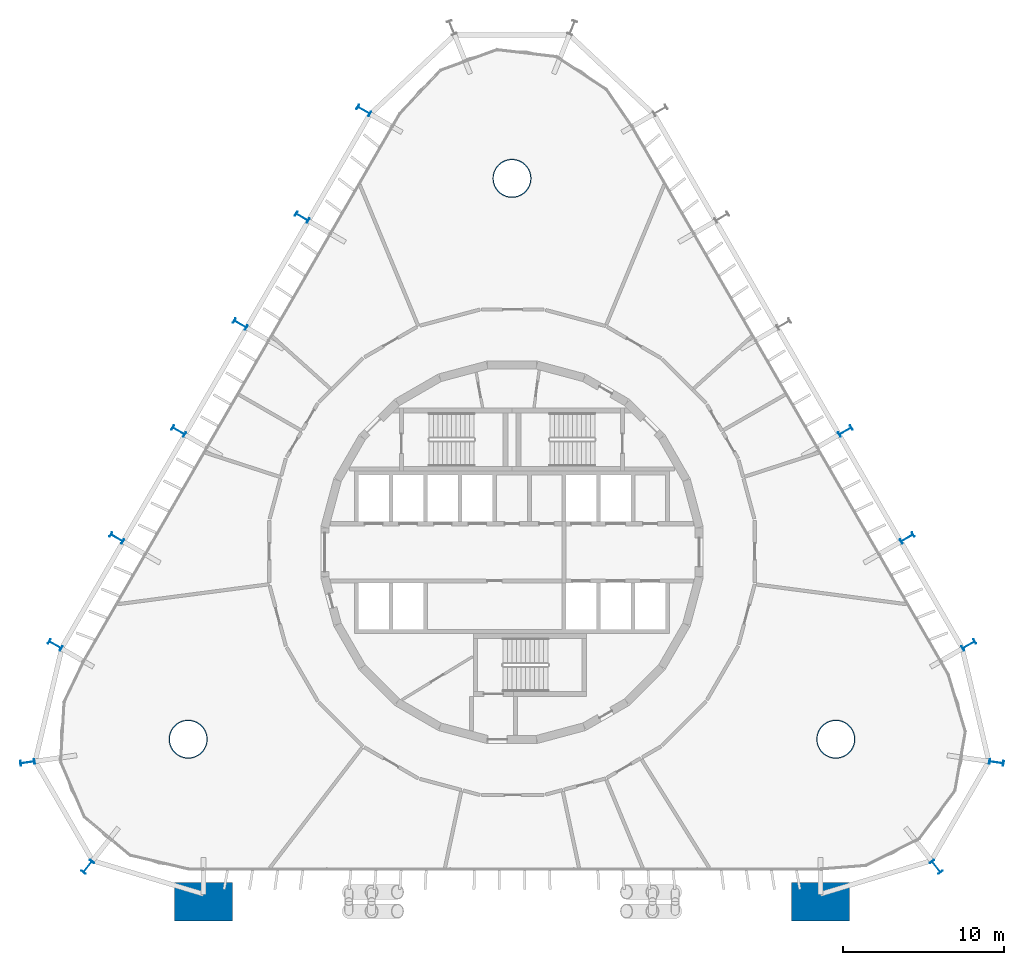
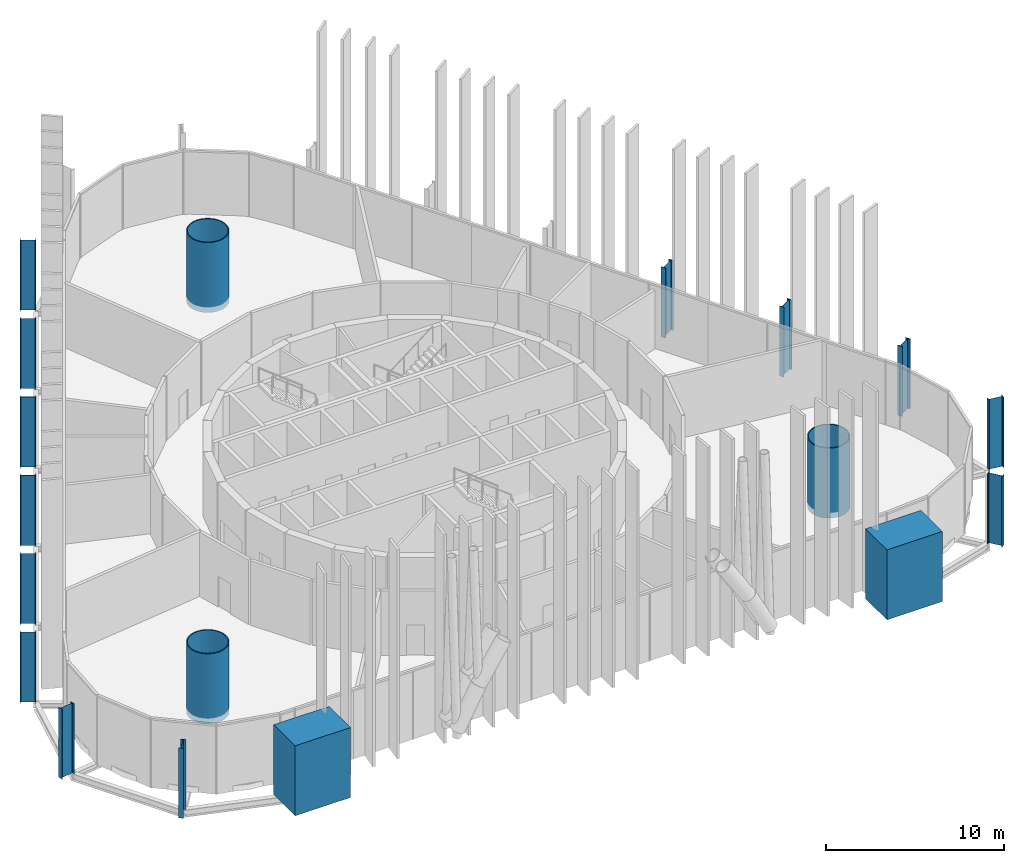
# One storey, part 1 of 17: 18 columns.
"""IFC4 building model written with IfcOpenShell, lengths in metres."""

import ifcopenshell
import ifcopenshell.guid

model = None  # the IFC model being written
_history = None  # IfcOwnerHistory: only IFC2X3 demands one
_inside = {}  # id of a spatial element -> (the spatial element, [elements in it])
_under = {}  # id of a project, library or spatial element -> (it, [spatial elements below it])
_declared = {}  # id of a project -> (the project, [libraries it declares])
_typed = {}  # id of a type object -> (the type object, [elements of that type])
_made_of = {}  # id of a material, layer set ... -> (it, [elements and type objects made of it])


def new_model(schema):
    """Start an empty IFC model of exactly this schema.

    Asked for "IFC4X3", IfcOpenShell would pick the latest addendum, in which some entities
    have other attributes; the version numbers below select the first issue.
    IFC2X3 requires an IfcOwnerHistory on every rooted entity: one is made here for all.
    """
    global model, _history
    if schema == "IFC4X3":
        model = ifcopenshell.file(schema_version=(4, 3, 0, 0))
    else:
        model = ifcopenshell.file(schema=schema)
    _inside.clear()
    _under.clear()
    _declared.clear()
    _typed.clear()
    _made_of.clear()
    _history = None
    if model.schema == "IFC2X3":
        org = make("IfcOrganization", Name="unknown")
        user = make(
            "IfcPersonAndOrganization",
            ThePerson=make("IfcPerson", FamilyName="unknown"),
            TheOrganization=org,
        )
        app = make(
            "IfcApplication",
            ApplicationDeveloper=org,
            Version="unknown",
            ApplicationFullName="unknown",
            ApplicationIdentifier="unknown",
        )
        _history = make(
            "IfcOwnerHistory",
            OwningUser=user,
            OwningApplication=app,
            ChangeAction="ADDED",
            CreationDate=0,
        )
    return model


def make(cls, **values):
    """One entity of the class cls with the attributes given. An attribute that is None is left unset."""
    return model.create_entity(
        cls, **{name: value for name, value in values.items() if value is not None}
    )


def rooted(cls, **values):
    """An entity with a GlobalId (a new one), such as an element, a storey or a relation."""
    return make(cls, GlobalId=ifcopenshell.guid.new(), OwnerHistory=_history, **values)


def si_unit(unit_type, name, prefix=None):
    """IfcSIUnit, for example si_unit("LENGTHUNIT", "METRE", prefix="MILLI")."""
    return make("IfcSIUnit", UnitType=unit_type, Prefix=prefix, Name=name)


def assignment(units):
    """IfcUnitAssignment: the units of a project."""
    return None if units is None else make("IfcUnitAssignment", Units=units)


def point(xyz):
    """IfcCartesianPoint."""
    return None if xyz is None else make("IfcCartesianPoint", Coordinates=xyz)


def direction(xyz):
    """IfcDirection."""
    return None if xyz is None else make("IfcDirection", DirectionRatios=xyz)


def frame(location, z_axis=None, x_axis=None):
    """IfcAxis2Placement3D, a coordinate frame: its origin and axes. An axis left out is left unset."""
    return make(
        "IfcAxis2Placement3D",
        Location=point(location),
        Axis=direction(z_axis),
        RefDirection=direction(x_axis),
    )


def frame_2d(location, x_axis=None):
    """IfcAxis2Placement2D, a coordinate frame in the plane: its origin and x axis."""
    return make(
        "IfcAxis2Placement2D", Location=point(location), RefDirection=direction(x_axis)
    )


def origin():
    """The frame at (0, 0, 0) with its axes left unset."""
    return frame((0.0, 0.0, 0.0))


def origin_2d():
    """The frame at (0, 0) in the plane with its x axis left unset."""
    return frame_2d((0.0, 0.0))


def place(relative_to, where):
    """IfcLocalPlacement: puts the frame where relative to a parent placement (None: the world)."""
    return make(
        "IfcLocalPlacement", PlacementRelTo=relative_to, RelativePlacement=where
    )


def context(
    kind, dimensions, precision=None, world=None, true_north=None, identifier=None
):
    """IfcGeometricRepresentationContext, for example the 3D "Model" context."""
    return make(
        "IfcGeometricRepresentationContext",
        ContextIdentifier=identifier,
        ContextType=kind,
        CoordinateSpaceDimension=dimensions,
        Precision=precision,
        WorldCoordinateSystem=world,
        TrueNorth=true_north,
    )


def subcontext(parent, identifier, kind, view, scale=None):
    """IfcGeometricRepresentationSubContext, for example "Body" below "Model"."""
    return make(
        "IfcGeometricRepresentationSubContext",
        ContextIdentifier=identifier,
        ContextType=kind,
        ParentContext=parent,
        TargetScale=scale,
        TargetView=view,
    )


def project(units=None, contexts=None):
    """IfcProject with its units and contexts."""
    return rooted(
        "IfcProject",
        Name="project",
        RepresentationContexts=contexts,
        UnitsInContext=assignment(units),
    )


def spatial(cls, under=None, at=None, **own):
    """A site, building, storey or space (cls), placed at a placement, below another one or the project."""
    s = rooted(cls, ObjectPlacement=at, **own)
    if under is not None:
        _under.setdefault(under.id(), (under, []))[1].append(s)
    return s


def profile(cls, at=None, kind="AREA", **sizes):
    """A parametric profile (cls). Its sizes go by their IFC names, for example OverallWidth=200.0."""
    return make(cls, ProfileType=kind, Position=at, **sizes)


def rectangle(**sizes):
    """IfcRectangleProfileDef."""
    return profile("IfcRectangleProfileDef", **sizes)


def hollow_circle(**sizes):
    """IfcCircleHollowProfileDef."""
    return profile("IfcCircleHollowProfileDef", **sizes)


def i_section(**sizes):
    """IfcIShapeProfileDef."""
    return profile("IfcIShapeProfileDef", **sizes)


def extrude(swept, where, along, depth):
    """IfcExtrudedAreaSolid: the profile swept, set in the frame where, extruded along a direction by depth."""
    return make(
        "IfcExtrudedAreaSolid",
        SweptArea=swept,
        Position=where,
        ExtrudedDirection=direction(along),
        Depth=depth,
    )


def shape(context_of_items, identifier, shape_type, items):
    """IfcShapeRepresentation: the items that make up one representation, for example the "Body"."""
    return make(
        "IfcShapeRepresentation",
        ContextOfItems=context_of_items,
        RepresentationIdentifier=identifier,
        RepresentationType=shape_type,
        Items=items,
    )


def material(Name=None, Category=None):
    """IfcMaterial."""
    return make("IfcMaterial", Name=Name, Category=Category)


def material_profile(
    of_material, cross_section, Name=None, Category=None, Priority=None
):
    """IfcMaterialProfile: a cross section and its material."""
    return make(
        "IfcMaterialProfile",
        Name=Name,
        Material=of_material,
        Profile=cross_section,
        Priority=Priority,
        Category=Category,
    )


def profile_set(profiles, Name=None, composite=None):
    """IfcMaterialProfileSet."""
    return make(
        "IfcMaterialProfileSet",
        Name=Name,
        MaterialProfiles=profiles,
        CompositeProfile=composite,
    )


def made_of(thing, what):
    """Note that an element or type object is made of a material, layer set ...; save() writes the relation."""
    if what is not None:
        _made_of.setdefault(what.id(), (what, []))[1].append(thing)
    return thing


def type_object(cls, material=None, **own):
    """A type object (cls), such as IfcWallType, which elements share."""
    return made_of(rooted(cls, **own), material)


def element(
    cls,
    number,
    at=None,
    inside=None,
    cuts=None,
    type_object=None,
    material=None,
    context=None,
    identifier="Body",
    shape_type=None,
    held_by="IfcProductDefinitionShape",
    body=None,
    shapes=None,
    **own,
):
    """One element of the class cls, such as IfcWall. Its Tag is "e" and its number.

    at: its placement. inside: the storey or other place that contains it. cuts: it is an
    opening in that element (IfcRelVoidsElement). A single representation is given by context,
    identifier, shape_type and body (its items); several are given by shapes. held_by: the class
    of the entity that holds the representations. save() writes the other relations.
    """
    e = rooted(cls, Tag="e%d" % number, ObjectPlacement=at, **own)
    if body is not None:
        shapes = [shape(context, identifier, shape_type, body)]
    if shapes is not None:
        e.Representation = make(held_by, Representations=shapes)
    if inside is not None:
        _inside.setdefault(inside.id(), (inside, []))[1].append(e)
    if cuts is not None:
        rooted(
            "IfcRelVoidsElement", RelatingBuildingElement=cuts, RelatedOpeningElement=e
        )
    if type_object is not None:
        _typed.setdefault(type_object.id(), (type_object, []))[1].append(e)
    return made_of(e, material)


def aggregate(whole, parts):
    """IfcRelAggregates: a whole, such as a stair, and the parts it consists of."""
    return rooted("IfcRelAggregates", RelatingObject=whole, RelatedObjects=parts)


def save(model, path):
    """Write the relations noted so far, then the file.

    IfcRelAggregates (storeys below a building ...), IfcRelContainedInSpatialStructure (elements
    in a storey), IfcRelDefinesByType, IfcRelAssociatesMaterial and IfcRelDeclares: one each for
    every whole, place, type object, material and project.
    """
    for whole, parts in _under.values():
        aggregate(whole, parts)
    for where, things in _inside.values():
        rooted(
            "IfcRelContainedInSpatialStructure",
            RelatedElements=things,
            RelatingStructure=where,
        )
    for kind, things in _typed.values():
        rooted("IfcRelDefinesByType", RelatedObjects=things, RelatingType=kind)
    for what, things in _made_of.values():
        rooted("IfcRelAssociatesMaterial", RelatedObjects=things, RelatingMaterial=what)
    for by, libraries in _declared.values():
        rooted("IfcRelDeclares", RelatingContext=by, RelatedDefinitions=libraries)
    model.write(path)


model = new_model("IFC4")

# Units and contexts
model_context = context("Model", 3, precision=1e-05, world=origin(), true_north=direction((0.0, 1.0)))
body_context = subcontext(model_context, "Body", "Model", "MODEL_VIEW")
ifc_project = project(units=[si_unit("LENGTHUNIT", "METRE"), si_unit("AREAUNIT", "SQUARE_METRE"), si_unit("VOLUMEUNIT", "CUBIC_METRE"), si_unit("PLANEANGLEUNIT", "RADIAN"), si_unit("MASSUNIT", "GRAM", prefix="KILO")], contexts=[model_context])

# Site, building, storey
site_placement = place(None, origin())
site = spatial("IfcSite", under=ifc_project, at=site_placement, CompositionType="ELEMENT")
building_placement = place(site_placement, origin())
building = spatial("IfcBuilding", under=site, at=building_placement, Name="Spindle Arch Residences", CompositionType="ELEMENT")
storey_placement = place(building_placement, frame((0.0, 0.0, 18.60009765625)))
storey = spatial("IfcBuildingStorey", under=building, at=storey_placement, Name="L03", CompositionType="ELEMENT", Elevation=18.60009765625)

# Columns
ifc_material_1 = material(Name="Concrete C50/60", Category="concrete")
ifc_material_profile_1 = material_profile(ifc_material_1, rectangle(XDim=3.60009765625, YDim=2.39990234375, at=origin_2d()), Name="RC 3600x2400")
ifc_profile_set_1 = profile_set([ifc_material_profile_1], Name="Concrete C50/60")
column_type_1 = type_object("IfcColumnType", Name="Arcade pier RC 3600x2400", PredefinedType="COLUMN", material=ifc_profile_set_1)
for number, where, z_axis, x_axis, name in (
    (1, (-19.2001953125, -21.72998046875, -0.380126953125), (0.0, 0.0, 1.0), (1.0, 0.0, 0.0), "Arcade pier W"),
    (2, (19.2001953125, -21.72998046875, -0.380126953125), (0.0, 0.0, 1.0), (1.0, 0.0, 0.0), "Arcade pier E"),
):
    element("IfcColumn", number, at=place(storey_placement, frame(where, z_axis=z_axis, x_axis=x_axis)), inside=storey, type_object=column_type_1, Name=name, PredefinedType="COLUMN", context=body_context, shape_type="SweptSolid", body=[
        extrude(rectangle(XDim=3.60009765625, YDim=2.39990234375, at=origin_2d()), origin(), (0.0, 0.0, 1.0), 4.800048828125),
    ])
ifc_material_2 = material(Name="Steel S460ML, intumescent coating R 240", Category="steel")
ifc_material_profile_2 = material_profile(ifc_material_2, i_section(OverallWidth=0.300048828125, OverallDepth=0.89990234375, WebThickness=0.0185546875, FlangeThickness=0.034912109375, FilletRadius=0.030029296875, at=origin_2d()), Name="HEB 900")
ifc_profile_set_2 = profile_set([ifc_material_profile_2], Name="Steel S460ML, intumescent coating R 240")
column_type_2 = type_object("IfcColumnType", Name="Exoskeleton post HEB 900", PredefinedType="COLUMN", material=ifc_profile_set_2)
for number, where, z_axis, x_axis, name in (
    (3, (26.3916015625, -19.565185546875, -0.380126953125), (0.0, 0.0, 1.0), (-0.7856835335, -0.618628632693, 0.0), "Exoskeleton post 4"),
    (4, (30.139892578125, -13.0732421875, -0.380126953125), (0.0, 0.0, 1.0), (-0.142906037553, -0.989736260036, 0.0), "Exoskeleton post 5"),
    (5, (28.418701171875, -5.762939453125, -0.380126953125), (0.0, 0.0, 1.0), (0.50000017485, -0.866025302835, 0.0), "Exoskeleton post 6"),
    (6, (24.57861328125, 0.88818359375, -0.380126953125), (0.0, 0.0, 1.0), (0.50000017485, -0.866025302835, 0.0), "Exoskeleton post 7"),
    (7, (20.73876953125, 7.539306640625, -0.380126953125), (0.0, 0.0, 1.0), (0.50000017485, -0.866025302835, 0.0), "Exoskeleton post 8"),
    (8, (-9.218505859375, 27.492919921875, -0.380126953125), (0.0, 0.0, 1.0), (0.50000017485, 0.866025302835, 0.0), "Exoskeleton post 14"),
    (9, (-13.05859375, 20.841796875, -0.380126953125), (0.0, 0.0, 1.0), (0.50000017485, 0.866025302835, 0.0), "Exoskeleton post 15"),
    (10, (-16.898681640625, 14.1904296875, -0.380126953125), (0.0, 0.0, 1.0), (0.50000017485, 0.866025302835, 0.0), "Exoskeleton post 16"),
    (11, (-20.73876953125, 7.539306640625, -0.380126953125), (0.0, 0.0, 1.0), (0.50000017485, 0.866025302835, 0.0), "Exoskeleton post 17"),
    (12, (-24.57861328125, 0.88818359375, -0.380126953125), (0.0, 0.0, 1.0), (0.50000017485, 0.866025302835, 0.0), "Exoskeleton post 18"),
    (13, (-28.418701171875, -5.762939453125, -0.380126953125), (0.0, 0.0, 1.0), (0.50000017485, 0.866025302835, 0.0), "Exoskeleton post 19"),
    (14, (-30.139892578125, -13.0732421875, -0.380126953125), (0.0, 0.0, 1.0), (-0.142906037553, 0.989736260036, 0.0), "Exoskeleton post 20"),
    (15, (-26.3916015625, -19.565185546875, -0.380126953125), (0.0, 0.0, 1.0), (-0.7856835335, 0.618628632693, 0.0), "Exoskeleton post 21"),
):
    element("IfcColumn", number, at=place(storey_placement, frame(where, z_axis=z_axis, x_axis=x_axis)), inside=storey, type_object=column_type_2, Name=name, PredefinedType="COLUMN", context=body_context, shape_type="SweptSolid", body=[
        extrude(i_section(OverallWidth=0.300048828125, OverallDepth=0.89990234375, WebThickness=0.0185546875, FlangeThickness=0.034912109375, FilletRadius=0.030029296875, at=origin_2d()), origin(), (0.0, 0.0, 1.0), 4.800048828125),
    ])
ifc_material_3 = material(Name="Concrete C50/60 filled steel tube S460ML, intumescent coating R 240", Category="concrete")
ifc_material_profile_3 = material_profile(ifc_material_3, hollow_circle(Radius=1.199951171875, WallThickness=0.06005859375, at=origin_2d()), Name="CFT D2400x60")
ifc_profile_set_3 = profile_set([ifc_material_profile_3], Name="Concrete C50/60 filled steel tube S460ML, intumescent coating R 240")
column_type_3 = type_object("IfcColumnType", Name="Mega-column CFT D2400x60", PredefinedType="COLUMN", material=ifc_profile_set_3)
for number, where, z_axis, x_axis, name in (
    (16, (20.1435546875, -11.6298828125, -0.380126953125), (0.0, 0.0, 1.0), (1.0, 0.0, 0.0), "Mega-column 1"),
    (17, (0.0, 23.259765625, -0.380126953125), (0.0, 0.0, 1.0), (1.0, 0.0, 0.0), "Mega-column 2"),
    (18, (-20.1435546875, -11.6298828125, -0.380126953125), (0.0, 0.0, 1.0), (1.0, 0.0, 0.0), "Mega-column 3"),
):
    element("IfcColumn", number, at=place(storey_placement, frame(where, z_axis=z_axis, x_axis=x_axis)), inside=storey, type_object=column_type_3, Name=name, PredefinedType="COLUMN", context=body_context, shape_type="SweptSolid", body=[
        extrude(hollow_circle(Radius=1.199951171875, WallThickness=0.06005859375, at=origin_2d()), origin(), (0.0, 0.0, 1.0), 4.800048828125),
    ])

save(model, "model.ifc")
